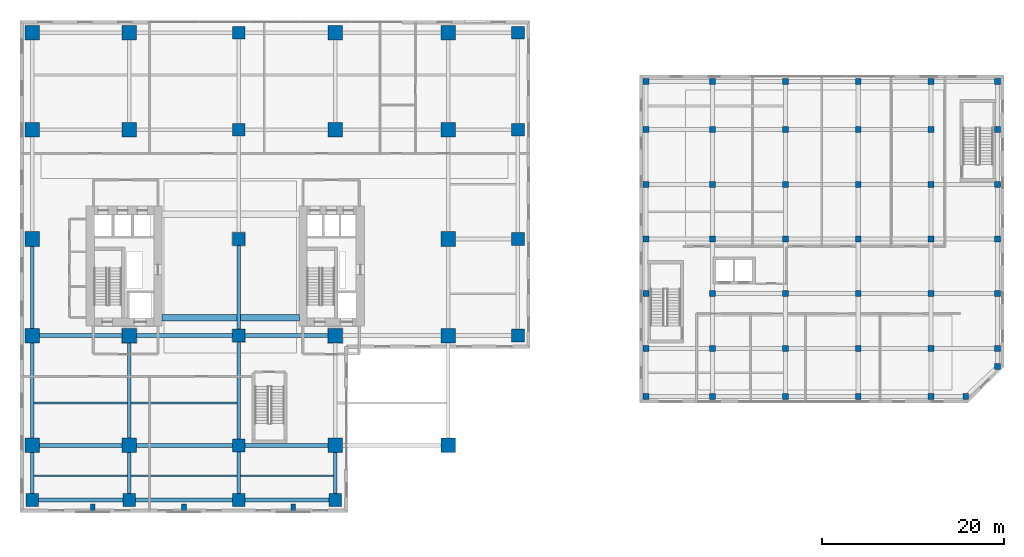
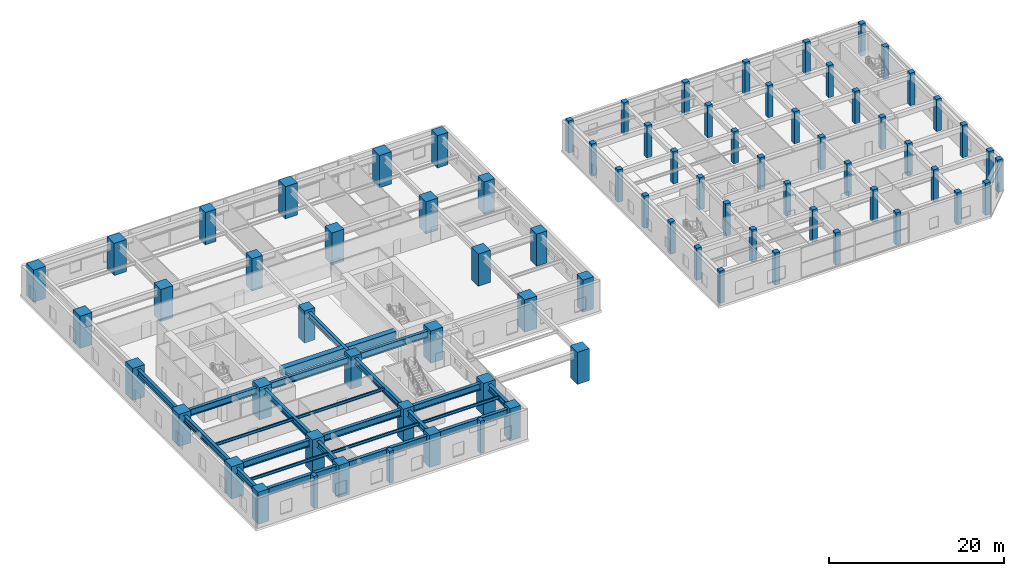
# One storey, part 1 of 28: 77 columns, 24 beams.
"""IFC4 building model written with IfcOpenShell, lengths in metres."""

from ifc_helpers import new_model, si_unit, direction, frame, origin, origin_2d, place, context, subcontext, project, spatial, rectangle, i_section, extrude, source, transform, mapped, material, material_profile, profile_set, type_object, element, save


model = new_model("IFC4")

# Units and contexts
model_context = context("Model", 3, precision=1e-05, world=origin(), true_north=direction((0.0, 1.0)))
body_context = subcontext(model_context, "Body", "Model", "MODEL_VIEW")
ifc_project = project(units=[si_unit("LENGTHUNIT", "METRE"), si_unit("AREAUNIT", "SQUARE_METRE"), si_unit("VOLUMEUNIT", "CUBIC_METRE"), si_unit("PLANEANGLEUNIT", "RADIAN"), si_unit("MASSUNIT", "GRAM", prefix="KILO")], contexts=[model_context])

# Site, building, storey
site_placement = place(None, origin())
site = spatial("IfcSite", under=ifc_project, at=site_placement, CompositionType="ELEMENT")
building_placement = place(site_placement, origin())
building = spatial("IfcBuilding", under=site, at=building_placement, Name="Khoralis Quay Care Tower", CompositionType="ELEMENT")
storey_placement = place(building_placement, frame((0.0, 0.0, 9.0)))
storey = spatial("IfcBuildingStorey", under=building, at=storey_placement, Name="L02", CompositionType="ELEMENT", Elevation=9.0)

# Columns
ifc_material_1 = material(Name="Concrete C80/95", Category="concrete")
ifc_material_profile_1 = material_profile(ifc_material_1, rectangle(XDim=1.39990234375, YDim=1.39990234375, at=origin_2d()), Name="Concrete C80/95")
ifc_profile_set_1 = profile_set([ifc_material_profile_1], Name="Concrete C80/95")
column_type_1 = type_object("IfcColumnType", Name="COL-MC1400", PredefinedType="COLUMN", material=ifc_profile_set_1)
shared_shape_1 = source(origin(), body_context, "Body", "SweptSolid", [
    extrude(rectangle(XDim=1.39990234375, YDim=1.39990234375, at=origin_2d()), origin(), (0.0, 0.0, 1.0), 4.5),
])
for number, where, z_axis, x_axis, name in (
    (1, (1.35009765625, -4.64990234375, 0.0), (0.0, 0.0, 1.0), (1.0, 0.0, 0.0), "L02 Mega column COL-POD-L02-01"),
    (2, (12.0, -4.64990234375, 0.0), (0.0, 0.0, 1.0), (1.0, 0.0, 0.0), "L02 Mega column COL-POD-L02-07"),
    (3, (24.0, -4.64990234375, 0.0), (0.0, 0.0, 1.0), (1.0, 0.0, 0.0), "L02 Mega column COL-POD-L02-12"),
    (4, (24.0, 1.35009765625, 0.0), (0.0, 0.0, 1.0), (1.0, 0.0, 0.0), "L02 Mega column COL-POD-L02-13"),
    (5, (24.0, 13.39990234375, 0.0), (0.0, 0.0, 1.0), (1.0, 0.0, 0.0), "L02 Mega column COL-POD-L02-14"),
    (6, (24.0, 24.0, 0.0), (0.0, 0.0, 1.0), (1.0, 0.0, 0.0), "L02 Mega column COL-POD-L02-15"),
    (7, (24.0, 36.0, 0.0), (0.0, 0.0, 1.0), (1.0, 0.0, 0.0), "L02 Mega column COL-POD-L02-16"),
    (8, (24.0, 46.64990234375, 0.0), (0.0, 0.0, 1.0), (1.0, 0.0, 0.0), "L02 Mega column COL-POD-L02-17"),
    (9, (34.60009765625, -4.64990234375, 0.0), (0.0, 0.0, 1.0), (1.0, 0.0, 0.0), "L02 Mega column COL-POD-L02-18"),
    (10, (54.64990234375, 13.39990234375, 0.0), (0.0, 0.0, 1.0), (1.0, 0.0, 0.0), "L02 Mega column COL-POD-L02-28"),
    (11, (54.64990234375, 24.0, 0.0), (0.0, 0.0, 1.0), (1.0, 0.0, 0.0), "L02 Mega column COL-POD-L02-29"),
    (12, (54.64990234375, 36.0, 0.0), (0.0, 0.0, 1.0), (1.0, 0.0, 0.0), "L02 Mega column COL-POD-L02-30"),
    (13, (54.64990234375, 46.64990234375, 0.0), (0.0, 0.0, 1.0), (1.0, 0.0, 0.0), "L02 Mega column COL-POD-L02-31"),
):
    element("IfcColumn", number, at=place(storey_placement, frame(where, z_axis=z_axis, x_axis=x_axis)), inside=storey, type_object=column_type_1, Name=name, PredefinedType="COLUMN", context=body_context, shape_type="MappedRepresentation", body=[
        mapped(shared_shape_1, transform((0.0, 0.0, 0.0), scale=1.0)),
    ])
ifc_material_profile_2 = material_profile(ifc_material_1, rectangle(XDim=1.60009765625, YDim=1.60009765625, at=origin_2d()), Name="Concrete C80/95")
ifc_profile_set_2 = profile_set([ifc_material_profile_2], Name="Concrete C80/95")
column_type_2 = type_object("IfcColumnType", Name="COL-MC1600", PredefinedType="COLUMN", material=ifc_profile_set_2)
shared_shape_2 = source(origin(), body_context, "Body", "SweptSolid", [
    extrude(rectangle(XDim=1.60009765625, YDim=1.60009765625, at=origin_2d()), origin(), (0.0, 0.0, 1.0), 4.5),
])
for number, where, z_axis, x_axis, name in (
    (14, (1.35009765625, 1.35009765625, 0.0), (0.0, 0.0, 1.0), (1.0, 0.0, 0.0), "L02 Mega column COL-POD-L02-02"),
    (15, (1.35009765625, 13.39990234375, 0.0), (0.0, 0.0, 1.0), (1.0, 0.0, 0.0), "L02 Mega column COL-POD-L02-03"),
    (16, (1.35009765625, 24.0, 0.0), (0.0, 0.0, 1.0), (1.0, 0.0, 0.0), "L02 Mega column COL-POD-L02-04"),
    (17, (1.35009765625, 36.0, 0.0), (0.0, 0.0, 1.0), (1.0, 0.0, 0.0), "L02 Mega column COL-POD-L02-05"),
    (18, (1.35009765625, 46.64990234375, 0.0), (0.0, 0.0, 1.0), (1.0, 0.0, 0.0), "L02 Mega column COL-POD-L02-06"),
    (19, (12.0, 1.35009765625, 0.0), (0.0, 0.0, 1.0), (1.0, 0.0, 0.0), "L02 Mega column COL-POD-L02-08"),
    (20, (12.0, 13.39990234375, 0.0), (0.0, 0.0, 1.0), (1.0, 0.0, 0.0), "L02 Mega column COL-POD-L02-09"),
    (21, (12.0, 36.0, 0.0), (0.0, 0.0, 1.0), (1.0, 0.0, 0.0), "L02 Mega column COL-POD-L02-10"),
    (22, (12.0, 46.64990234375, 0.0), (0.0, 0.0, 1.0), (1.0, 0.0, 0.0), "L02 Mega column COL-POD-L02-11"),
    (23, (34.60009765625, 1.35009765625, 0.0), (0.0, 0.0, 1.0), (1.0, 0.0, 0.0), "L02 Mega column COL-POD-L02-19"),
    (24, (34.60009765625, 13.39990234375, 0.0), (0.0, 0.0, 1.0), (1.0, 0.0, 0.0), "L02 Mega column COL-POD-L02-20"),
    (25, (34.60009765625, 36.0, 0.0), (0.0, 0.0, 1.0), (1.0, 0.0, 0.0), "L02 Mega column COL-POD-L02-21"),
    (26, (34.60009765625, 46.64990234375, 0.0), (0.0, 0.0, 1.0), (1.0, 0.0, 0.0), "L02 Mega column COL-POD-L02-22"),
    (27, (47.0, 1.35009765625, 0.0), (0.0, 0.0, 1.0), (1.0, 0.0, 0.0), "L02 Mega column COL-POD-L02-23"),
    (28, (47.0, 13.39990234375, 0.0), (0.0, 0.0, 1.0), (1.0, 0.0, 0.0), "L02 Mega column COL-POD-L02-24"),
    (29, (47.0, 24.0, 0.0), (0.0, 0.0, 1.0), (1.0, 0.0, 0.0), "L02 Mega column COL-POD-L02-25"),
    (30, (47.0, 36.0, 0.0), (0.0, 0.0, 1.0), (1.0, 0.0, 0.0), "L02 Mega column COL-POD-L02-26"),
    (31, (47.0, 46.64990234375, 0.0), (0.0, 0.0, 1.0), (1.0, 0.0, 0.0), "L02 Mega column COL-POD-L02-27"),
):
    element("IfcColumn", number, at=place(storey_placement, frame(where, z_axis=z_axis, x_axis=x_axis)), inside=storey, type_object=column_type_2, Name=name, PredefinedType="COLUMN", context=body_context, shape_type="MappedRepresentation", body=[
        mapped(shared_shape_2, transform((0.0, 0.0, 0.0), scale=1.0)),
    ])
ifc_material_2 = material(Name="Concrete C50/60", Category="concrete")
ifc_material_profile_3 = material_profile(ifc_material_2, rectangle(XDim=0.5, YDim=0.75, at=origin_2d()), Name="Concrete C50/60")
ifc_profile_set_3 = profile_set([ifc_material_profile_3], Name="Concrete C50/60")
column_type_3 = type_object("IfcColumnType", Name="COL-PIL500X750", PredefinedType="PILASTER", material=ifc_profile_set_3)
shared_shape_3 = source(origin(), body_context, "Body", "SweptSolid", [
    extrude(rectangle(XDim=0.5, YDim=0.75, at=origin_2d()), origin(), (0.0, 0.0, 1.0), 4.5),
])
for number, where, z_axis, x_axis, name in (
    (32, (8.0, -5.449951171875, 0.0), (0.0, 0.0, 1.0), (1.0, 0.0, 0.0), "L02 Waterfront Colonnade Pilaster 1"),
    (33, (18.0, -5.449951171875, 0.0), (0.0, 0.0, 1.0), (1.0, 0.0, 0.0), "L02 Waterfront Colonnade Pilaster 2"),
    (34, (30.0, -5.449951171875, 0.0), (0.0, 0.0, 1.0), (1.0, 0.0, 0.0), "L02 Waterfront Colonnade Pilaster 3"),
):
    element("IfcColumn", number, at=place(storey_placement, frame(where, z_axis=z_axis, x_axis=x_axis)), inside=storey, type_object=column_type_3, Name=name, PredefinedType="PILASTER", context=body_context, shape_type="MappedRepresentation", body=[
        mapped(shared_shape_3, transform((0.0, 0.0, 0.0), scale=1.0)),
    ])
ifc_material_3 = material(Name="Concrete C40/50", Category="concrete")
ifc_material_profile_4 = material_profile(ifc_material_3, rectangle(XDim=0.64990234375, YDim=0.64990234375, at=origin_2d()), Name="Concrete C40/50")
ifc_profile_set_4 = profile_set([ifc_material_profile_4], Name="Concrete C40/50")
column_type_4 = type_object("IfcColumnType", Name="COL-SC650", PredefinedType="COLUMN", material=ifc_profile_set_4)
shared_shape_4 = source(origin(), body_context, "Body", "SweptSolid", [
    extrude(rectangle(XDim=0.64990234375, YDim=0.64990234375, at=origin_2d()), origin(), (0.0, 0.0, 1.0), 4.5),
])
for number, where, z_axis, x_axis, name in (
    (35, (68.699951171875, 6.699951171875, 0.0), (0.0, 0.0, 1.0), (1.0, 0.0, 0.0), "COL-SCH-L02-01"),
    (36, (68.699951171875, 12.0, 0.0), (0.0, 0.0, 1.0), (1.0, 0.0, 0.0), "COL-SCH-L02-02"),
    (37, (68.699951171875, 18.0, 0.0), (0.0, 0.0, 1.0), (1.0, 0.0, 0.0), "COL-SCH-L02-03"),
    (38, (68.699951171875, 24.0, 0.0), (0.0, 0.0, 1.0), (1.0, 0.0, 0.0), "COL-SCH-L02-04"),
    (39, (68.699951171875, 30.0, 0.0), (0.0, 0.0, 1.0), (1.0, 0.0, 0.0), "COL-SCH-L02-05"),
    (40, (68.699951171875, 36.0, 0.0), (0.0, 0.0, 1.0), (1.0, 0.0, 0.0), "COL-SCH-L02-06"),
    (41, (68.699951171875, 41.300048828125, 0.0), (0.0, 0.0, 1.0), (1.0, 0.0, 0.0), "COL-SCH-L02-07"),
    (42, (76.0, 6.699951171875, 0.0), (0.0, 0.0, 1.0), (1.0, 0.0, 0.0), "COL-SCH-L02-08"),
    (43, (76.0, 12.0, 0.0), (0.0, 0.0, 1.0), (1.0, 0.0, 0.0), "COL-SCH-L02-09"),
    (44, (76.0, 18.0, 0.0), (0.0, 0.0, 1.0), (1.0, 0.0, 0.0), "COL-SCH-L02-10"),
    (45, (76.0, 24.0, 0.0), (0.0, 0.0, 1.0), (1.0, 0.0, 0.0), "COL-SCH-L02-11"),
    (46, (76.0, 30.0, 0.0), (0.0, 0.0, 1.0), (1.0, 0.0, 0.0), "COL-SCH-L02-12"),
    (47, (76.0, 36.0, 0.0), (0.0, 0.0, 1.0), (1.0, 0.0, 0.0), "COL-SCH-L02-13"),
    (48, (76.0, 41.300048828125, 0.0), (0.0, 0.0, 1.0), (1.0, 0.0, 0.0), "COL-SCH-L02-14"),
    (49, (84.0, 6.699951171875, 0.0), (0.0, 0.0, 1.0), (1.0, 0.0, 0.0), "COL-SCH-L02-15"),
    (50, (84.0, 12.0, 0.0), (0.0, 0.0, 1.0), (1.0, 0.0, 0.0), "COL-SCH-L02-16"),
    (51, (84.0, 18.0, 0.0), (0.0, 0.0, 1.0), (1.0, 0.0, 0.0), "COL-SCH-L02-17"),
    (52, (84.0, 24.0, 0.0), (0.0, 0.0, 1.0), (1.0, 0.0, 0.0), "COL-SCH-L02-18"),
    (53, (84.0, 30.0, 0.0), (0.0, 0.0, 1.0), (1.0, 0.0, 0.0), "COL-SCH-L02-19"),
    (54, (84.0, 36.0, 0.0), (0.0, 0.0, 1.0), (1.0, 0.0, 0.0), "COL-SCH-L02-20"),
    (55, (84.0, 41.300048828125, 0.0), (0.0, 0.0, 1.0), (1.0, 0.0, 0.0), "COL-SCH-L02-21"),
    (56, (92.0, 6.699951171875, 0.0), (0.0, 0.0, 1.0), (1.0, 0.0, 0.0), "COL-SCH-L02-22"),
    (57, (92.0, 12.0, 0.0), (0.0, 0.0, 1.0), (1.0, 0.0, 0.0), "COL-SCH-L02-23"),
    (58, (92.0, 18.0, 0.0), (0.0, 0.0, 1.0), (1.0, 0.0, 0.0), "COL-SCH-L02-24"),
    (59, (92.0, 24.0, 0.0), (0.0, 0.0, 1.0), (1.0, 0.0, 0.0), "COL-SCH-L02-25"),
    (60, (92.0, 30.0, 0.0), (0.0, 0.0, 1.0), (1.0, 0.0, 0.0), "COL-SCH-L02-26"),
    (61, (92.0, 36.0, 0.0), (0.0, 0.0, 1.0), (1.0, 0.0, 0.0), "COL-SCH-L02-27"),
    (62, (92.0, 41.300048828125, 0.0), (0.0, 0.0, 1.0), (1.0, 0.0, 0.0), "COL-SCH-L02-28"),
    (63, (100.0, 6.699951171875, 0.0), (0.0, 0.0, 1.0), (1.0, 0.0, 0.0), "COL-SCH-L02-29"),
    (64, (100.0, 12.0, 0.0), (0.0, 0.0, 1.0), (1.0, 0.0, 0.0), "COL-SCH-L02-30"),
    (65, (100.0, 18.0, 0.0), (0.0, 0.0, 1.0), (1.0, 0.0, 0.0), "COL-SCH-L02-31"),
    (66, (100.0, 24.0, 0.0), (0.0, 0.0, 1.0), (1.0, 0.0, 0.0), "COL-SCH-L02-32"),
    (67, (100.0, 30.0, 0.0), (0.0, 0.0, 1.0), (1.0, 0.0, 0.0), "COL-SCH-L02-33"),
    (68, (100.0, 36.0, 0.0), (0.0, 0.0, 1.0), (1.0, 0.0, 0.0), "COL-SCH-L02-34"),
    (69, (100.0, 41.300048828125, 0.0), (0.0, 0.0, 1.0), (1.0, 0.0, 0.0), "COL-SCH-L02-35"),
    (70, (107.300048828125, 12.0, 0.0), (0.0, 0.0, 1.0), (1.0, 0.0, 0.0), "COL-SCH-L02-36"),
    (71, (107.300048828125, 18.0, 0.0), (0.0, 0.0, 1.0), (1.0, 0.0, 0.0), "COL-SCH-L02-37"),
    (72, (107.300048828125, 24.0, 0.0), (0.0, 0.0, 1.0), (1.0, 0.0, 0.0), "COL-SCH-L02-38"),
    (73, (107.300048828125, 30.0, 0.0), (0.0, 0.0, 1.0), (1.0, 0.0, 0.0), "COL-SCH-L02-39"),
    (74, (107.300048828125, 36.0, 0.0), (0.0, 0.0, 1.0), (1.0, 0.0, 0.0), "COL-SCH-L02-40"),
    (75, (107.300048828125, 41.300048828125, 0.0), (0.0, 0.0, 1.0), (1.0, 0.0, 0.0), "COL-SCH-L02-41"),
    (76, (103.800048828125, 6.699951171875, 0.0), (0.0, 0.0, 1.0), (1.0, 0.0, 0.0), "COL-SCH-L02-42"),
    (77, (107.300048828125, 10.0, 0.0), (0.0, 0.0, 1.0), (1.0, 0.0, 0.0), "COL-SCH-L02-43"),
):
    element("IfcColumn", number, at=place(storey_placement, frame(where, z_axis=z_axis, x_axis=x_axis)), inside=storey, type_object=column_type_4, Name=name, PredefinedType="COLUMN", context=body_context, shape_type="MappedRepresentation", body=[
        mapped(shared_shape_4, transform((0.0, 0.0, 0.0), scale=1.0)),
    ])

# Beams
ifc_material_profile_5 = material_profile(ifc_material_1, rectangle(XDim=0.699951171875, YDim=1.0, at=origin_2d()), Name="Concrete C80/95")
ifc_profile_set_5 = profile_set([ifc_material_profile_5], Name="Concrete C80/95")
beam_type_1 = type_object("IfcBeamType", Name="CB-RC700X1000", PredefinedType="LINTEL", material=ifc_profile_set_5)
shared_shape_5 = source(origin(), body_context, "Body", "SweptSolid", [
    extrude(rectangle(XDim=0.699951171875, YDim=1.0, at=origin_2d()), origin(), (0.0, 0.0, 1.0), 15.079833984375),
])
beam_1_placement = place(storey_placement, frame((15.570068359375, 15.35009765625, 3.659912109375), z_axis=(1.0, 0.0, 0.0), x_axis=(0.0, 1.0, 0.0)))
element("IfcBeam", 78, at=beam_1_placement, inside=storey, type_object=beam_type_1, Name="L02 South Core Coupling Lintel", PredefinedType="LINTEL", context=body_context, shape_type="MappedRepresentation", body=[
    mapped(shared_shape_5, transform((0.0, 0.0, 0.0), scale=1.0)),
])
ifc_material_4 = material(Name="Steel S355", Category="steel")
ifc_material_profile_6 = material_profile(ifc_material_4, i_section(OverallWidth=0.41796875, OverallDepth=0.912109375, WebThickness=0.019287109375, FlangeThickness=0.031982421875, FilletRadius=0.02392578125, at=origin_2d()), Name="Steel S355")
ifc_profile_set_6 = profile_set([ifc_material_profile_6], Name="Steel S355")
beam_type_2 = type_object("IfcBeamType", Name="BM-W920X342", PredefinedType="BEAM", material=ifc_profile_set_6)
shared_shape_6 = source(origin(), body_context, "Body", "SweptSolid", [
    extrude(i_section(OverallWidth=0.41796875, OverallDepth=0.912109375, WebThickness=0.019287109375, FlangeThickness=0.031982421875, FilletRadius=0.02392578125, at=origin_2d()), origin(), (0.0, 0.0, 1.0), 10.64990234375),
])
for number, where, z_axis, x_axis, name in (
    (79, (1.35009765625, -4.64990234375, 3.7041015625), (1.0, 0.0, 0.0), (0.0, 1.0, 0.0), "BM-PODX-L02-01"),
    (80, (1.35009765625, 1.35009765625, 3.7041015625), (1.0, 0.0, 0.0), (0.0, 1.0, 0.0), "BM-PODX-L02-04"),
    (81, (1.35009765625, 13.39990234375, 3.7041015625), (1.0, 0.0, 0.0), (0.0, 1.0, 0.0), "BM-PODX-L02-08"),
):
    element("IfcBeam", number, at=place(storey_placement, frame(where, z_axis=z_axis, x_axis=x_axis)), inside=storey, type_object=beam_type_2, Name=name, PredefinedType="BEAM", context=body_context, shape_type="MappedRepresentation", body=[
        mapped(shared_shape_6, transform((0.0, 0.0, 0.0), scale=1.0)),
    ])
shared_shape_7 = source(origin(), body_context, "Body", "SweptSolid", [
    extrude(i_section(OverallWidth=0.41796875, OverallDepth=0.912109375, WebThickness=0.019287109375, FlangeThickness=0.031982421875, FilletRadius=0.02392578125, at=origin_2d()), origin(), (0.0, 0.0, 1.0), 12.0),
])
for number, where, z_axis, x_axis, name in (
    (82, (12.0, -4.64990234375, 3.7041015625), (1.0, 0.0, 0.0), (0.0, 1.0, 0.0), "BM-PODX-L02-02"),
    (83, (12.0, 1.35009765625, 3.7041015625), (1.0, 0.0, 0.0), (0.0, 1.0, 0.0), "BM-PODX-L02-05"),
    (84, (12.0, 13.39990234375, 3.7041015625), (1.0, 0.0, 0.0), (0.0, 1.0, 0.0), "BM-PODX-L02-09"),
):
    element("IfcBeam", number, at=place(storey_placement, frame(where, z_axis=z_axis, x_axis=x_axis)), inside=storey, type_object=beam_type_2, Name=name, PredefinedType="BEAM", context=body_context, shape_type="MappedRepresentation", body=[
        mapped(shared_shape_7, transform((0.0, 0.0, 0.0), scale=1.0)),
    ])
shared_shape_8 = source(origin(), body_context, "Body", "SweptSolid", [
    extrude(i_section(OverallWidth=0.41796875, OverallDepth=0.912109375, WebThickness=0.019287109375, FlangeThickness=0.031982421875, FilletRadius=0.02392578125, at=origin_2d()), origin(), (0.0, 0.0, 1.0), 10.60009765625),
])
for number, where, z_axis, x_axis, name in (
    (85, (24.0, -4.64990234375, 3.7041015625), (1.0, 0.0, 0.0), (0.0, 1.0, 0.0), "BM-PODX-L02-03"),
    (86, (24.0, 1.35009765625, 3.7041015625), (1.0, 0.0, 0.0), (0.0, 1.0, 0.0), "BM-PODX-L02-06"),
    (87, (24.0, 13.39990234375, 3.7041015625), (1.0, 0.0, 0.0), (0.0, 1.0, 0.0), "BM-PODX-L02-10"),
):
    element("IfcBeam", number, at=place(storey_placement, frame(where, z_axis=z_axis, x_axis=x_axis)), inside=storey, type_object=beam_type_2, Name=name, PredefinedType="BEAM", context=body_context, shape_type="MappedRepresentation", body=[
        mapped(shared_shape_8, transform((0.0, 0.0, 0.0), scale=1.0)),
    ])
ifc_material_profile_7 = material_profile(ifc_material_4, i_section(OverallWidth=0.39990234375, OverallDepth=0.85498046875, WebThickness=0.018310546875, FlangeThickness=0.029296875, FilletRadius=0.02392578125, at=origin_2d()), Name="Steel S355")
ifc_profile_set_7 = profile_set([ifc_material_profile_7], Name="Steel S355")
beam_type_3 = type_object("IfcBeamType", Name="BM-W840X299", PredefinedType="BEAM", material=ifc_profile_set_7)
shared_shape_9 = source(origin(), body_context, "Body", "SweptSolid", [
    extrude(i_section(OverallWidth=0.39990234375, OverallDepth=0.85498046875, WebThickness=0.018310546875, FlangeThickness=0.029296875, FilletRadius=0.02392578125, at=origin_2d()), origin(), (0.0, 0.0, 1.0), 6.0),
])
for number, where, z_axis, x_axis, name in (
    (88, (1.35009765625, -4.64990234375, 3.732421875), (0.0, 1.0, 0.0), (-1.0, 0.0, 0.0), "BM-PODY-L02-24"),
    (89, (12.0, -4.64990234375, 3.732421875), (0.0, 1.0, 0.0), (-1.0, 0.0, 0.0), "BM-PODY-L02-29"),
    (90, (24.0, -4.64990234375, 3.732421875), (0.0, 1.0, 0.0), (-1.0, 0.0, 0.0), "BM-PODY-L02-32"),
    (91, (34.60009765625, -4.64990234375, 3.732421875), (0.0, 1.0, 0.0), (-1.0, 0.0, 0.0), "BM-PODY-L02-37"),
):
    element("IfcBeam", number, at=place(storey_placement, frame(where, z_axis=z_axis, x_axis=x_axis)), inside=storey, type_object=beam_type_3, Name=name, PredefinedType="BEAM", context=body_context, shape_type="MappedRepresentation", body=[
        mapped(shared_shape_9, transform((0.0, 0.0, 0.0), scale=1.0)),
    ])
shared_shape_10 = source(origin(), body_context, "Body", "SweptSolid", [
    extrude(i_section(OverallWidth=0.39990234375, OverallDepth=0.85498046875, WebThickness=0.018310546875, FlangeThickness=0.029296875, FilletRadius=0.02392578125, at=origin_2d()), origin(), (0.0, 0.0, 1.0), 12.0498046875),
])
for number, where, z_axis, x_axis, name in (
    (92, (1.35009765625, 1.35009765625, 3.732421875), (0.0, 1.0, 0.0), (-1.0, 0.0, 0.0), "BM-PODY-L02-25"),
    (93, (12.0, 1.35009765625, 3.732421875), (0.0, 1.0, 0.0), (-1.0, 0.0, 0.0), "BM-PODY-L02-30"),
    (94, (24.0, 1.35009765625, 3.732421875), (0.0, 1.0, 0.0), (-1.0, 0.0, 0.0), "BM-PODY-L02-33"),
):
    element("IfcBeam", number, at=place(storey_placement, frame(where, z_axis=z_axis, x_axis=x_axis)), inside=storey, type_object=beam_type_3, Name=name, PredefinedType="BEAM", context=body_context, shape_type="MappedRepresentation", body=[
        mapped(shared_shape_10, transform((0.0, 0.0, 0.0), scale=1.0)),
    ])
shared_shape_11 = source(origin(), body_context, "Body", "SweptSolid", [
    extrude(i_section(OverallWidth=0.39990234375, OverallDepth=0.85498046875, WebThickness=0.018310546875, FlangeThickness=0.029296875, FilletRadius=0.02392578125, at=origin_2d()), origin(), (0.0, 0.0, 1.0), 10.60009765625),
])
for number, where, z_axis, x_axis, name in (
    (95, (1.35009765625, 13.39990234375, 3.732421875), (0.0, 1.0, 0.0), (-1.0, 0.0, 0.0), "BM-PODY-L02-26"),
    (96, (24.0, 13.39990234375, 3.732421875), (0.0, 1.0, 0.0), (-1.0, 0.0, 0.0), "BM-PODY-L02-34"),
):
    element("IfcBeam", number, at=place(storey_placement, frame(where, z_axis=z_axis, x_axis=x_axis)), inside=storey, type_object=beam_type_3, Name=name, PredefinedType="BEAM", context=body_context, shape_type="MappedRepresentation", body=[
        mapped(shared_shape_11, transform((0.0, 0.0, 0.0), scale=1.0)),
    ])
ifc_material_profile_8 = material_profile(ifc_material_4, i_section(OverallWidth=0.177978515625, OverallDepth=0.406982421875, WebThickness=0.0078125, FlangeThickness=0.0126953125, FilletRadius=0.012939453125, at=origin_2d()), Name="Steel S355")
ifc_profile_set_8 = profile_set([ifc_material_profile_8], Name="Steel S355")
beam_type_4 = type_object("IfcBeamType", Name="BM-W410X60", PredefinedType="JOIST", material=ifc_profile_set_8)
shared_shape_12 = source(origin(), body_context, "Body", "SweptSolid", [
    extrude(i_section(OverallWidth=0.177978515625, OverallDepth=0.406982421875, WebThickness=0.0078125, FlangeThickness=0.0126953125, FilletRadius=0.012939453125, at=origin_2d()), origin(), (0.0, 0.0, 1.0), 10.27392578125),
])
for number, where, z_axis, x_axis, name in (
    (97, (1.5380859375, -2.0, 3.95654296875), (1.0, 0.0, 0.0), (0.0, 1.0, 0.0), "BM-PODJ-L02-47"),
    (98, (1.5380859375, 6.0, 3.95654296875), (1.0, 0.0, 0.0), (0.0, 1.0, 0.0), "BM-PODJ-L02-50"),
):
    element("IfcBeam", number, at=place(storey_placement, frame(where, z_axis=z_axis, x_axis=x_axis)), inside=storey, type_object=beam_type_4, Name=name, PredefinedType="JOIST", context=body_context, shape_type="MappedRepresentation", body=[
        mapped(shared_shape_12, transform((0.0, 0.0, 0.0), scale=1.0)),
    ])
shared_shape_13 = source(origin(), body_context, "Body", "SweptSolid", [
    extrude(i_section(OverallWidth=0.177978515625, OverallDepth=0.406982421875, WebThickness=0.0078125, FlangeThickness=0.0126953125, FilletRadius=0.012939453125, at=origin_2d()), origin(), (0.0, 0.0, 1.0), 11.6240234375),
])
for number, where, z_axis, x_axis, name in (
    (99, (12.18798828125, -2.0, 3.95654296875), (1.0, 0.0, 0.0), (0.0, 1.0, 0.0), "BM-PODJ-L02-48"),
    (100, (12.18798828125, 6.0, 3.95654296875), (1.0, 0.0, 0.0), (0.0, 1.0, 0.0), "BM-PODJ-L02-51"),
):
    element("IfcBeam", number, at=place(storey_placement, frame(where, z_axis=z_axis, x_axis=x_axis)), inside=storey, type_object=beam_type_4, Name=name, PredefinedType="JOIST", context=body_context, shape_type="MappedRepresentation", body=[
        mapped(shared_shape_13, transform((0.0, 0.0, 0.0), scale=1.0)),
    ])
shared_shape_14 = source(origin(), body_context, "Body", "SweptSolid", [
    extrude(i_section(OverallWidth=0.177978515625, OverallDepth=0.406982421875, WebThickness=0.0078125, FlangeThickness=0.0126953125, FilletRadius=0.012939453125, at=origin_2d()), origin(), (0.0, 0.0, 1.0), 10.22412109375),
])
beam_2_placement = place(storey_placement, frame((24.18798828125, -2.0, 3.95654296875), z_axis=(1.0, 0.0, 0.0), x_axis=(0.0, 1.0, 0.0)))
element("IfcBeam", 101, at=beam_2_placement, inside=storey, type_object=beam_type_4, Name="BM-PODJ-L02-49", PredefinedType="JOIST", context=body_context, shape_type="MappedRepresentation", body=[
    mapped(shared_shape_14, transform((0.0, 0.0, 0.0), scale=1.0)),
])

save(model, "model.ifc")
